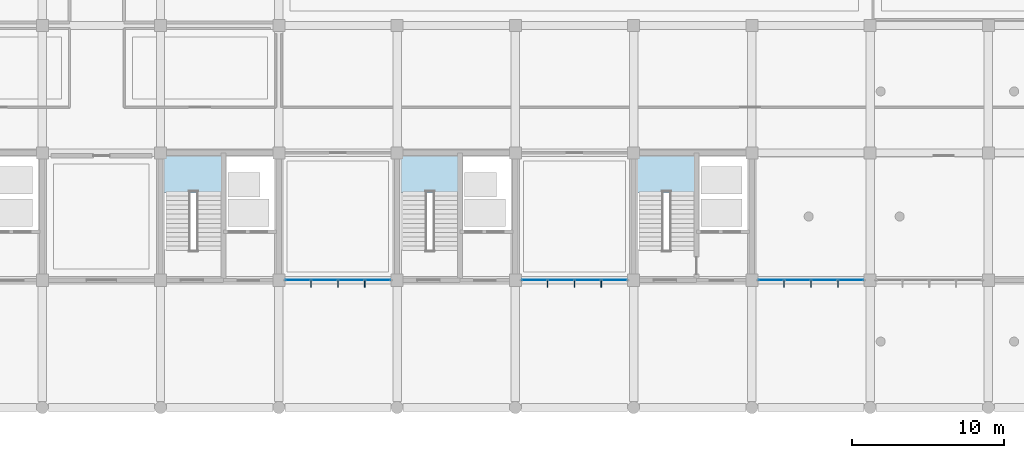
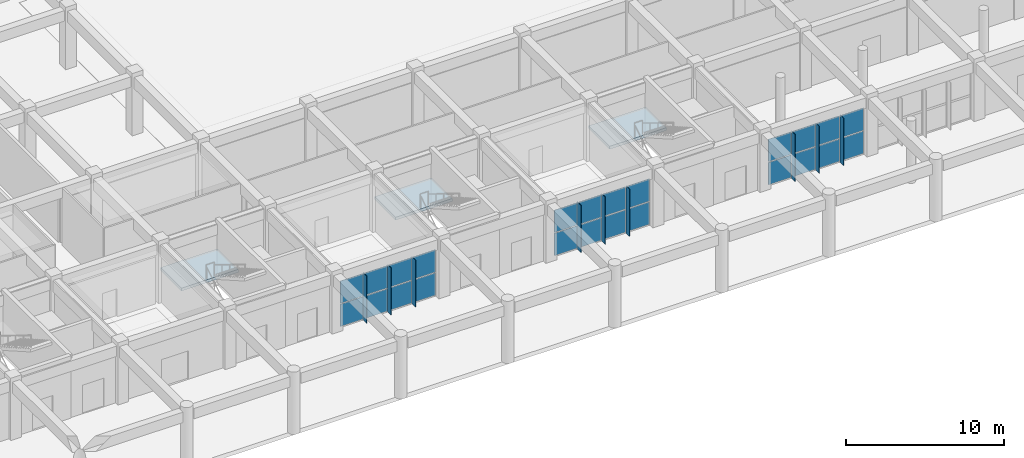
# One storey, part 102 of 139: 33 plates, 3 slabs, 6 elements without a shape of their own.
"""IFC4 building model written with IfcOpenShell, lengths in metres."""

from ifc_helpers import new_model, si_unit, direction, frame, origin, origin_2d, place, context, subcontext, project, spatial, polyline, rectangle, outline, extrude, material, layer, layer_set, type_object, element, aggregate, save


model = new_model("IFC4")

# Units and contexts
model_context = context("Model", 3, precision=1e-05, world=origin(), true_north=direction((0.0, 1.0)))
body_context = subcontext(model_context, "Body", "Model", "MODEL_VIEW")
ifc_project = project(units=[si_unit("LENGTHUNIT", "METRE"), si_unit("AREAUNIT", "SQUARE_METRE"), si_unit("VOLUMEUNIT", "CUBIC_METRE"), si_unit("PLANEANGLEUNIT", "RADIAN"), si_unit("MASSUNIT", "GRAM", prefix="KILO")], contexts=[model_context])

# Site, building, storey
site_placement = place(None, origin())
site = spatial("IfcSite", under=ifc_project, at=site_placement, CompositionType="ELEMENT")
building_placement = place(site_placement, origin())
building = spatial("IfcBuilding", under=site, at=building_placement, Name="Zizhar Promenade General Hospital", CompositionType="ELEMENT")
storey_placement = place(building_placement, origin())
storey = spatial("IfcBuildingStorey", under=building, at=storey_placement, Name="L00", CompositionType="ELEMENT", Elevation=0.0)

# Curtain wall, plates
ifc_material_1 = material(Name="Anodised aluminium 6063-T6 and low-E glass", Category="aluminium")
ifc_layer_1 = layer(ifc_material_1, 0.159912109375)
ifc_layer_set_1 = layer_set([ifc_layer_1], Name="Anodised aluminium 6063-T6 and low-E glass")
curtain_wall_type = type_object("IfcCurtainWallType", Name="CW-HALL-S", PredefinedType="NOTDEFINED", material=ifc_layer_set_1)
curtain_wall_1_placement = place(storey_placement, origin())
curtain_wall_1 = element("IfcCurtainWall", 1, at=curtain_wall_1_placement, inside=storey, type_object=curtain_wall_type, Name="Promenade Colonnade Curtain Wall Bay 8", PredefinedType="NOTDEFINED")
ifc_material_2 = material(Name="Low-E solar-control glass", Category="glass")
ifc_layer_2 = layer(ifc_material_2, 0.031982421875)
ifc_layer_set_2 = layer_set([ifc_layer_2], Name="Low-E solar-control glass")
plate_type_1 = type_object("IfcPlateType", Name="CWP-GLZ-32", PredefinedType="CURTAIN_PANEL", material=ifc_layer_set_2)
plate_1_placement = place(storey_placement, frame((76.735107421875, 8.39990234375, 0.06005859375), z_axis=(0.0, 0.0, 1.0), x_axis=(-1.0, 0.0, 0.0)))
plate_1 = element("IfcPlate", 2, at=plate_1_placement, type_object=plate_type_1, Name="CW-01 panel 1.1", PredefinedType="CURTAIN_PANEL", context=body_context, shape_type="SweptSolid", body=[
    extrude(rectangle(XDim=1.64990234375, YDim=0.031982421875, at=origin_2d()), origin(), (0.0, 0.0, 1.0), 1.72509765625),
])
plate_2_placement = place(storey_placement, frame((76.735107421875, 8.39990234375, 1.844970703125), z_axis=(0.0, 0.0, 1.0), x_axis=(-1.0, 0.0, 0.0)))
plate_2 = element("IfcPlate", 3, at=plate_2_placement, type_object=plate_type_1, Name="CW-01 panel 1.2", PredefinedType="CURTAIN_PANEL", context=body_context, shape_type="SweptSolid", body=[
    extrude(rectangle(XDim=1.64990234375, YDim=0.031982421875, at=origin_2d()), origin(), (0.0, 0.0, 1.0), 1.72509765625),
])
plate_3_placement = place(storey_placement, frame((74.985107421875, 8.39990234375, 0.06005859375), z_axis=(0.0, 0.0, 1.0), x_axis=(-1.0, 0.0, 0.0)))
plate_3 = element("IfcPlate", 4, at=plate_3_placement, type_object=plate_type_1, Name="CW-01 panel 2.1", PredefinedType="CURTAIN_PANEL", context=body_context, shape_type="SweptSolid", body=[
    extrude(rectangle(XDim=1.68994140625, YDim=0.031982421875, at=origin_2d()), origin(), (0.0, 0.0, 1.0), 1.72509765625),
])
plate_4_placement = place(storey_placement, frame((74.985107421875, 8.39990234375, 1.844970703125), z_axis=(0.0, 0.0, 1.0), x_axis=(-1.0, 0.0, 0.0)))
plate_4 = element("IfcPlate", 5, at=plate_4_placement, type_object=plate_type_1, Name="CW-01 panel 2.2", PredefinedType="CURTAIN_PANEL", context=body_context, shape_type="SweptSolid", body=[
    extrude(rectangle(XDim=1.68994140625, YDim=0.031982421875, at=origin_2d()), origin(), (0.0, 0.0, 1.0), 1.72509765625),
])
plate_5_placement = place(storey_placement, frame((73.215087890625, 8.39990234375, 0.06005859375), z_axis=(0.0, 0.0, 1.0), x_axis=(-1.0, 0.0, 0.0)))
plate_5 = element("IfcPlate", 6, at=plate_5_placement, type_object=plate_type_1, Name="CW-01 panel 3.1", PredefinedType="CURTAIN_PANEL", context=body_context, shape_type="SweptSolid", body=[
    extrude(rectangle(XDim=1.68994140625, YDim=0.031982421875, at=origin_2d()), origin(), (0.0, 0.0, 1.0), 1.72509765625),
])
plate_6_placement = place(storey_placement, frame((73.215087890625, 8.39990234375, 1.844970703125), z_axis=(0.0, 0.0, 1.0), x_axis=(-1.0, 0.0, 0.0)))
plate_6 = element("IfcPlate", 7, at=plate_6_placement, type_object=plate_type_1, Name="CW-01 panel 3.2", PredefinedType="CURTAIN_PANEL", context=body_context, shape_type="SweptSolid", body=[
    extrude(rectangle(XDim=1.68994140625, YDim=0.031982421875, at=origin_2d()), origin(), (0.0, 0.0, 1.0), 1.72509765625),
])
plate_7_placement = place(storey_placement, frame((71.465087890625, 8.39990234375, 0.06005859375), z_axis=(0.0, 0.0, 1.0), x_axis=(-1.0, 0.0, 0.0)))
plate_7 = element("IfcPlate", 8, at=plate_7_placement, type_object=plate_type_1, Name="CW-01 panel 4.1", PredefinedType="CURTAIN_PANEL", context=body_context, shape_type="SweptSolid", body=[
    extrude(rectangle(XDim=1.64990234375, YDim=0.031982421875, at=origin_2d()), origin(), (0.0, 0.0, 1.0), 1.72509765625),
])
plate_8_placement = place(storey_placement, frame((71.465087890625, 8.39990234375, 1.844970703125), z_axis=(0.0, 0.0, 1.0), x_axis=(-1.0, 0.0, 0.0)))
plate_8 = element("IfcPlate", 9, at=plate_8_placement, type_object=plate_type_1, Name="CW-01 panel 4.2", PredefinedType="CURTAIN_PANEL", context=body_context, shape_type="SweptSolid", body=[
    extrude(rectangle(XDim=1.64990234375, YDim=0.031982421875, at=origin_2d()), origin(), (0.0, 0.0, 1.0), 1.72509765625),
])
aggregate(curtain_wall_1, [plate_1, plate_2, plate_3, plate_4, plate_5, plate_6, plate_7, plate_8])

curtain_wall_2_placement = place(storey_placement, origin())
curtain_wall_2 = element("IfcCurtainWall", 10, at=curtain_wall_2_placement, inside=storey, type_object=curtain_wall_type, Name="Promenade Colonnade Curtain Wall Bay 10", PredefinedType="NOTDEFINED")
plate_9_placement = place(storey_placement, frame((92.3349609375, 8.39990234375, 0.06005859375), z_axis=(0.0, 0.0, 1.0), x_axis=(-1.0, 0.0, 0.0)))
plate_9 = element("IfcPlate", 11, at=plate_9_placement, type_object=plate_type_1, Name="CW-01 panel 1.1", PredefinedType="CURTAIN_PANEL", context=body_context, shape_type="SweptSolid", body=[
    extrude(rectangle(XDim=1.64990234375, YDim=0.031982421875, at=origin_2d()), origin(), (0.0, 0.0, 1.0), 1.72509765625),
])
plate_10_placement = place(storey_placement, frame((92.3349609375, 8.39990234375, 1.844970703125), z_axis=(0.0, 0.0, 1.0), x_axis=(-1.0, 0.0, 0.0)))
plate_10 = element("IfcPlate", 12, at=plate_10_placement, type_object=plate_type_1, Name="CW-01 panel 1.2", PredefinedType="CURTAIN_PANEL", context=body_context, shape_type="SweptSolid", body=[
    extrude(rectangle(XDim=1.64990234375, YDim=0.031982421875, at=origin_2d()), origin(), (0.0, 0.0, 1.0), 1.72509765625),
])
plate_11_placement = place(storey_placement, frame((90.5849609375, 8.39990234375, 0.06005859375), z_axis=(0.0, 0.0, 1.0), x_axis=(-1.0, 0.0, 0.0)))
plate_11 = element("IfcPlate", 13, at=plate_11_placement, type_object=plate_type_1, Name="CW-01 panel 2.1", PredefinedType="CURTAIN_PANEL", context=body_context, shape_type="SweptSolid", body=[
    extrude(rectangle(XDim=1.68994140625, YDim=0.031982421875, at=origin_2d()), origin(), (0.0, 0.0, 1.0), 1.72509765625),
])
plate_12_placement = place(storey_placement, frame((90.5849609375, 8.39990234375, 1.844970703125), z_axis=(0.0, 0.0, 1.0), x_axis=(-1.0, 0.0, 0.0)))
plate_12 = element("IfcPlate", 14, at=plate_12_placement, type_object=plate_type_1, Name="CW-01 panel 2.2", PredefinedType="CURTAIN_PANEL", context=body_context, shape_type="SweptSolid", body=[
    extrude(rectangle(XDim=1.68994140625, YDim=0.031982421875, at=origin_2d()), origin(), (0.0, 0.0, 1.0), 1.72509765625),
])
plate_13_placement = place(storey_placement, frame((88.81494140625, 8.39990234375, 0.06005859375), z_axis=(0.0, 0.0, 1.0), x_axis=(-1.0, 0.0, 0.0)))
plate_13 = element("IfcPlate", 15, at=plate_13_placement, type_object=plate_type_1, Name="CW-01 panel 3.1", PredefinedType="CURTAIN_PANEL", context=body_context, shape_type="SweptSolid", body=[
    extrude(rectangle(XDim=1.68994140625, YDim=0.031982421875, at=origin_2d()), origin(), (0.0, 0.0, 1.0), 1.72509765625),
])
plate_14_placement = place(storey_placement, frame((88.81494140625, 8.39990234375, 1.844970703125), z_axis=(0.0, 0.0, 1.0), x_axis=(-1.0, 0.0, 0.0)))
plate_14 = element("IfcPlate", 16, at=plate_14_placement, type_object=plate_type_1, Name="CW-01 panel 3.2", PredefinedType="CURTAIN_PANEL", context=body_context, shape_type="SweptSolid", body=[
    extrude(rectangle(XDim=1.68994140625, YDim=0.031982421875, at=origin_2d()), origin(), (0.0, 0.0, 1.0), 1.72509765625),
])
plate_15_placement = place(storey_placement, frame((87.06494140625, 8.39990234375, 0.06005859375), z_axis=(0.0, 0.0, 1.0), x_axis=(-1.0, 0.0, 0.0)))
plate_15 = element("IfcPlate", 17, at=plate_15_placement, type_object=plate_type_1, Name="CW-01 panel 4.1", PredefinedType="CURTAIN_PANEL", context=body_context, shape_type="SweptSolid", body=[
    extrude(rectangle(XDim=1.64990234375, YDim=0.031982421875, at=origin_2d()), origin(), (0.0, 0.0, 1.0), 1.72509765625),
])
plate_16_placement = place(storey_placement, frame((87.06494140625, 8.39990234375, 1.844970703125), z_axis=(0.0, 0.0, 1.0), x_axis=(-1.0, 0.0, 0.0)))
plate_16 = element("IfcPlate", 18, at=plate_16_placement, type_object=plate_type_1, Name="CW-01 panel 4.2", PredefinedType="CURTAIN_PANEL", context=body_context, shape_type="SweptSolid", body=[
    extrude(rectangle(XDim=1.64990234375, YDim=0.031982421875, at=origin_2d()), origin(), (0.0, 0.0, 1.0), 1.72509765625),
])
aggregate(curtain_wall_2, [plate_9, plate_10, plate_11, plate_12, plate_13, plate_14, plate_15, plate_16])

curtain_wall_3_placement = place(storey_placement, origin())
curtain_wall_3 = element("IfcCurtainWall", 19, at=curtain_wall_3_placement, inside=storey, type_object=curtain_wall_type, Name="Promenade Colonnade Curtain Wall Bay 12", PredefinedType="NOTDEFINED")
plate_17_placement = place(storey_placement, frame((107.93505859375, 8.39990234375, 0.06005859375), z_axis=(0.0, 0.0, 1.0), x_axis=(-1.0, 0.0, 0.0)))
plate_17 = element("IfcPlate", 20, at=plate_17_placement, type_object=plate_type_1, Name="CW-01 panel 1.1", PredefinedType="CURTAIN_PANEL", context=body_context, shape_type="SweptSolid", body=[
    extrude(rectangle(XDim=1.64990234375, YDim=0.031982421875, at=origin_2d()), origin(), (0.0, 0.0, 1.0), 1.72509765625),
])
plate_18_placement = place(storey_placement, frame((107.93505859375, 8.39990234375, 1.844970703125), z_axis=(0.0, 0.0, 1.0), x_axis=(-1.0, 0.0, 0.0)))
plate_18 = element("IfcPlate", 21, at=plate_18_placement, type_object=plate_type_1, Name="CW-01 panel 1.2", PredefinedType="CURTAIN_PANEL", context=body_context, shape_type="SweptSolid", body=[
    extrude(rectangle(XDim=1.64990234375, YDim=0.031982421875, at=origin_2d()), origin(), (0.0, 0.0, 1.0), 1.72509765625),
])
plate_19_placement = place(storey_placement, frame((106.18505859375, 8.39990234375, 0.06005859375), z_axis=(0.0, 0.0, 1.0), x_axis=(-1.0, 0.0, 0.0)))
plate_19 = element("IfcPlate", 22, at=plate_19_placement, type_object=plate_type_1, Name="CW-01 panel 2.1", PredefinedType="CURTAIN_PANEL", context=body_context, shape_type="SweptSolid", body=[
    extrude(rectangle(XDim=1.68994140625, YDim=0.031982421875, at=origin_2d()), origin(), (0.0, 0.0, 1.0), 1.72509765625),
])
plate_20_placement = place(storey_placement, frame((106.18505859375, 8.39990234375, 1.844970703125), z_axis=(0.0, 0.0, 1.0), x_axis=(-1.0, 0.0, 0.0)))
plate_20 = element("IfcPlate", 23, at=plate_20_placement, type_object=plate_type_1, Name="CW-01 panel 2.2", PredefinedType="CURTAIN_PANEL", context=body_context, shape_type="SweptSolid", body=[
    extrude(rectangle(XDim=1.68994140625, YDim=0.031982421875, at=origin_2d()), origin(), (0.0, 0.0, 1.0), 1.72509765625),
])
plate_21_placement = place(storey_placement, frame((104.4150390625, 8.39990234375, 0.06005859375), z_axis=(0.0, 0.0, 1.0), x_axis=(-1.0, 0.0, 0.0)))
plate_21 = element("IfcPlate", 24, at=plate_21_placement, type_object=plate_type_1, Name="CW-01 panel 3.1", PredefinedType="CURTAIN_PANEL", context=body_context, shape_type="SweptSolid", body=[
    extrude(rectangle(XDim=1.68994140625, YDim=0.031982421875, at=origin_2d()), origin(), (0.0, 0.0, 1.0), 1.72509765625),
])
plate_22_placement = place(storey_placement, frame((104.4150390625, 8.39990234375, 1.844970703125), z_axis=(0.0, 0.0, 1.0), x_axis=(-1.0, 0.0, 0.0)))
plate_22 = element("IfcPlate", 25, at=plate_22_placement, type_object=plate_type_1, Name="CW-01 panel 3.2", PredefinedType="CURTAIN_PANEL", context=body_context, shape_type="SweptSolid", body=[
    extrude(rectangle(XDim=1.68994140625, YDim=0.031982421875, at=origin_2d()), origin(), (0.0, 0.0, 1.0), 1.72509765625),
])
plate_23_placement = place(storey_placement, frame((102.6650390625, 8.39990234375, 0.06005859375), z_axis=(0.0, 0.0, 1.0), x_axis=(-1.0, 0.0, 0.0)))
plate_23 = element("IfcPlate", 26, at=plate_23_placement, type_object=plate_type_1, Name="CW-01 panel 4.1", PredefinedType="CURTAIN_PANEL", context=body_context, shape_type="SweptSolid", body=[
    extrude(rectangle(XDim=1.64990234375, YDim=0.031982421875, at=origin_2d()), origin(), (0.0, 0.0, 1.0), 1.72509765625),
])
plate_24_placement = place(storey_placement, frame((102.6650390625, 8.39990234375, 1.844970703125), z_axis=(0.0, 0.0, 1.0), x_axis=(-1.0, 0.0, 0.0)))
plate_24 = element("IfcPlate", 27, at=plate_24_placement, type_object=plate_type_1, Name="CW-01 panel 4.2", PredefinedType="CURTAIN_PANEL", context=body_context, shape_type="SweptSolid", body=[
    extrude(rectangle(XDim=1.64990234375, YDim=0.031982421875, at=origin_2d()), origin(), (0.0, 0.0, 1.0), 1.72509765625),
])
aggregate(curtain_wall_3, [plate_17, plate_18, plate_19, plate_20, plate_21, plate_22, plate_23, plate_24])

# Plates
ifc_material_3 = material(Name="Anodised aluminium 6063-T6", Category="aluminium")
ifc_layer_3 = layer(ifc_material_3, 0.0400390625)
ifc_layer_set_3 = layer_set([ifc_layer_3], Name="Anodised aluminium 6063-T6")
plate_type_2 = type_object("IfcPlateType", Name="FIN-ALU-450", PredefinedType="USERDEFINED", material=ifc_layer_set_3)
plate_25_placement = place(storey_placement, origin())
element("IfcPlate", 28, at=plate_25_placement, inside=storey, type_object=plate_type_2, Name="Promenade Colonnade Curtain Wall Bay 8 Solar Fin 1", ObjectType="SOLAR_SHADE", PredefinedType="USERDEFINED", context=body_context, shape_type="SweptSolid", body=[
    extrude(outline(polyline([(75.889892578125, 8.39990234375), (75.85009765625, 8.39990234375), (75.85009765625, 7.949951171875), (75.889892578125, 7.949951171875), (75.889892578125, 8.39990234375)])), origin(), (0.0, 0.0, 1.0), 3.6298828125),
])
plate_26_placement = place(storey_placement, origin())
element("IfcPlate", 29, at=plate_26_placement, inside=storey, type_object=plate_type_2, Name="Promenade Colonnade Curtain Wall Bay 8 Solar Fin 2", ObjectType="SOLAR_SHADE", PredefinedType="USERDEFINED", context=body_context, shape_type="SweptSolid", body=[
    extrude(outline(polyline([(74.1201171875, 8.39990234375), (74.080078125, 8.39990234375), (74.080078125, 7.949951171875), (74.1201171875, 7.949951171875), (74.1201171875, 8.39990234375)])), origin(), (0.0, 0.0, 1.0), 3.6298828125),
])
plate_27_placement = place(storey_placement, origin())
element("IfcPlate", 30, at=plate_27_placement, inside=storey, type_object=plate_type_2, Name="Promenade Colonnade Curtain Wall Bay 8 Solar Fin 3", ObjectType="SOLAR_SHADE", PredefinedType="USERDEFINED", context=body_context, shape_type="SweptSolid", body=[
    extrude(outline(polyline([(72.35009765625, 8.39990234375), (72.31005859375, 8.39990234375), (72.31005859375, 7.949951171875), (72.35009765625, 7.949951171875), (72.35009765625, 8.39990234375)])), origin(), (0.0, 0.0, 1.0), 3.6298828125),
])
plate_28_placement = place(storey_placement, origin())
element("IfcPlate", 31, at=plate_28_placement, inside=storey, type_object=plate_type_2, Name="Promenade Colonnade Curtain Wall Bay 10 Solar Fin 1", ObjectType="SOLAR_SHADE", PredefinedType="USERDEFINED", context=body_context, shape_type="SweptSolid", body=[
    extrude(outline(polyline([(91.489990234375, 8.39990234375), (91.449951171875, 8.39990234375), (91.449951171875, 7.949951171875), (91.489990234375, 7.949951171875), (91.489990234375, 8.39990234375)])), origin(), (0.0, 0.0, 1.0), 3.6298828125),
])
plate_29_placement = place(storey_placement, origin())
element("IfcPlate", 32, at=plate_29_placement, inside=storey, type_object=plate_type_2, Name="Promenade Colonnade Curtain Wall Bay 10 Solar Fin 2", ObjectType="SOLAR_SHADE", PredefinedType="USERDEFINED", context=body_context, shape_type="SweptSolid", body=[
    extrude(outline(polyline([(89.719970703125, 8.39990234375), (89.679931640625, 8.39990234375), (89.679931640625, 7.949951171875), (89.719970703125, 7.949951171875), (89.719970703125, 8.39990234375)])), origin(), (0.0, 0.0, 1.0), 3.6298828125),
])
plate_30_placement = place(storey_placement, origin())
element("IfcPlate", 33, at=plate_30_placement, inside=storey, type_object=plate_type_2, Name="Promenade Colonnade Curtain Wall Bay 10 Solar Fin 3", ObjectType="SOLAR_SHADE", PredefinedType="USERDEFINED", context=body_context, shape_type="SweptSolid", body=[
    extrude(outline(polyline([(87.949951171875, 8.39990234375), (87.909912109375, 8.39990234375), (87.909912109375, 7.949951171875), (87.949951171875, 7.949951171875), (87.949951171875, 8.39990234375)])), origin(), (0.0, 0.0, 1.0), 3.6298828125),
])
plate_31_placement = place(storey_placement, origin())
element("IfcPlate", 34, at=plate_31_placement, inside=storey, type_object=plate_type_2, Name="Promenade Colonnade Curtain Wall Bay 12 Solar Fin 1", ObjectType="SOLAR_SHADE", PredefinedType="USERDEFINED", context=body_context, shape_type="SweptSolid", body=[
    extrude(outline(polyline([(107.090087890625, 8.39990234375), (107.050048828125, 8.39990234375), (107.050048828125, 7.949951171875), (107.090087890625, 7.949951171875), (107.090087890625, 8.39990234375)])), origin(), (0.0, 0.0, 1.0), 3.6298828125),
])
plate_32_placement = place(storey_placement, origin())
element("IfcPlate", 35, at=plate_32_placement, inside=storey, type_object=plate_type_2, Name="Promenade Colonnade Curtain Wall Bay 12 Solar Fin 2", ObjectType="SOLAR_SHADE", PredefinedType="USERDEFINED", context=body_context, shape_type="SweptSolid", body=[
    extrude(outline(polyline([(105.320068359375, 8.39990234375), (105.280029296875, 8.39990234375), (105.280029296875, 7.949951171875), (105.320068359375, 7.949951171875), (105.320068359375, 8.39990234375)])), origin(), (0.0, 0.0, 1.0), 3.6298828125),
])
plate_33_placement = place(storey_placement, origin())
element("IfcPlate", 36, at=plate_33_placement, inside=storey, type_object=plate_type_2, Name="Promenade Colonnade Curtain Wall Bay 12 Solar Fin 3", ObjectType="SOLAR_SHADE", PredefinedType="USERDEFINED", context=body_context, shape_type="SweptSolid", body=[
    extrude(outline(polyline([(103.550048828125, 8.39990234375), (103.510009765625, 8.39990234375), (103.510009765625, 7.949951171875), (103.550048828125, 7.949951171875), (103.550048828125, 8.39990234375)])), origin(), (0.0, 0.0, 1.0), 3.6298828125),
])

# Stair, slab
ifc_material_4 = material(Name="Concrete C35/45", Category="concrete")
stair_type = type_object("IfcStairType", Name="STR-DOG-480", PredefinedType="HALF_TURN_STAIR", material=ifc_material_4)
stair_1_placement = place(storey_placement, origin())
stair_1 = element("IfcStair", 37, at=stair_1_placement, inside=storey, type_object=stair_type, Name="Exit Stair ST-03 (L00 to L01)", PredefinedType="HALF_TURN_STAIR")
ifc_material_5 = material(Name="Concrete C35/45", Category="concrete")
ifc_layer_4 = layer(ifc_material_5, 0.219970703125)
ifc_layer_set_4 = layer_set([ifc_layer_4], Name="Concrete C35/45")
slab_type = type_object("IfcSlabType", Name="SLB-LAND-480", PredefinedType="LANDING", material=ifc_layer_set_4)
slab_1_placement = place(storey_placement, frame((0.0, 0.0, 2.179931640625)))
slab_1 = element("IfcSlab", 38, at=slab_1_placement, type_object=slab_type, Name="ST-03A landing 1", PredefinedType="LANDING", context=body_context, shape_type="SweptSolid", body=[
    extrude(outline(polyline([(62.39990234375, 14.169921875), (66.550048828125, 14.169921875), (66.550048828125, 16.800048828125), (62.39990234375, 16.800048828125), (62.39990234375, 14.169921875)])), origin(), (0.0, 0.0, 1.0), 0.219970703125),
])
aggregate(stair_1, [slab_1])

stair_2_placement = place(storey_placement, origin())
stair_2 = element("IfcStair", 39, at=stair_2_placement, inside=storey, type_object=stair_type, Name="Exit Stair ST-04 (L00 to L01)", PredefinedType="HALF_TURN_STAIR")
slab_2_placement = place(storey_placement, frame((0.0, 0.0, 2.179931640625)))
slab_2 = element("IfcSlab", 40, at=slab_2_placement, type_object=slab_type, Name="ST-04A landing 1", PredefinedType="LANDING", context=body_context, shape_type="SweptSolid", body=[
    extrude(outline(polyline([(78.0, 14.169921875), (82.14990234375, 14.169921875), (82.14990234375, 16.800048828125), (78.0, 16.800048828125), (78.0, 14.169921875)])), origin(), (0.0, 0.0, 1.0), 0.219970703125),
])
aggregate(stair_2, [slab_2])

stair_3_placement = place(storey_placement, origin())
stair_3 = element("IfcStair", 41, at=stair_3_placement, inside=storey, type_object=stair_type, Name="Exit Stair ST-05 (L00 to L01)", PredefinedType="HALF_TURN_STAIR")
slab_3_placement = place(storey_placement, frame((0.0, 0.0, 2.179931640625)))
slab_3 = element("IfcSlab", 42, at=slab_3_placement, type_object=slab_type, Name="ST-05A landing 1", PredefinedType="LANDING", context=body_context, shape_type="SweptSolid", body=[
    extrude(outline(polyline([(93.60009765625, 14.169921875), (97.75, 14.169921875), (97.75, 16.800048828125), (93.60009765625, 16.800048828125), (93.60009765625, 14.169921875)])), origin(), (0.0, 0.0, 1.0), 0.219970703125),
])
aggregate(stair_3, [slab_3])

save(model, "model.ifc")
